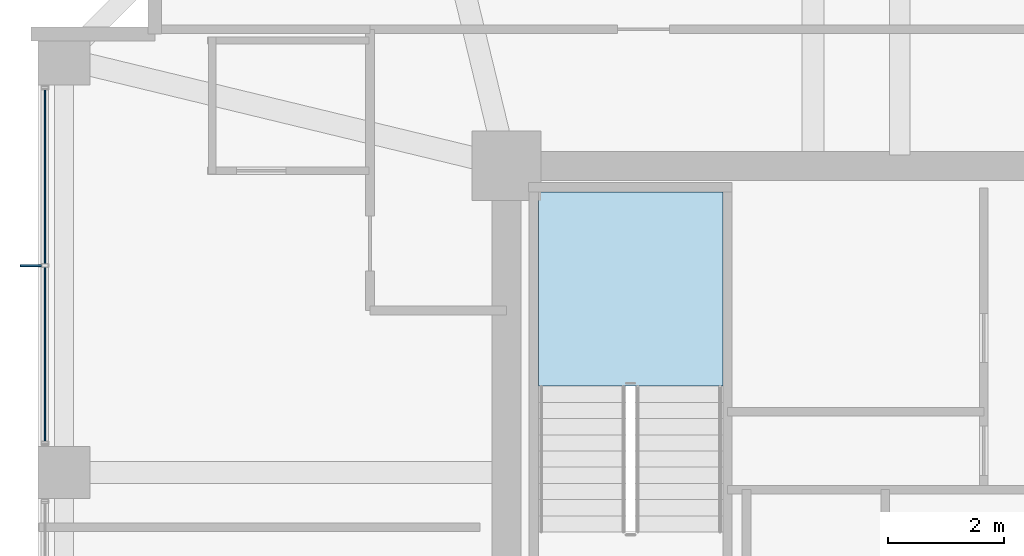
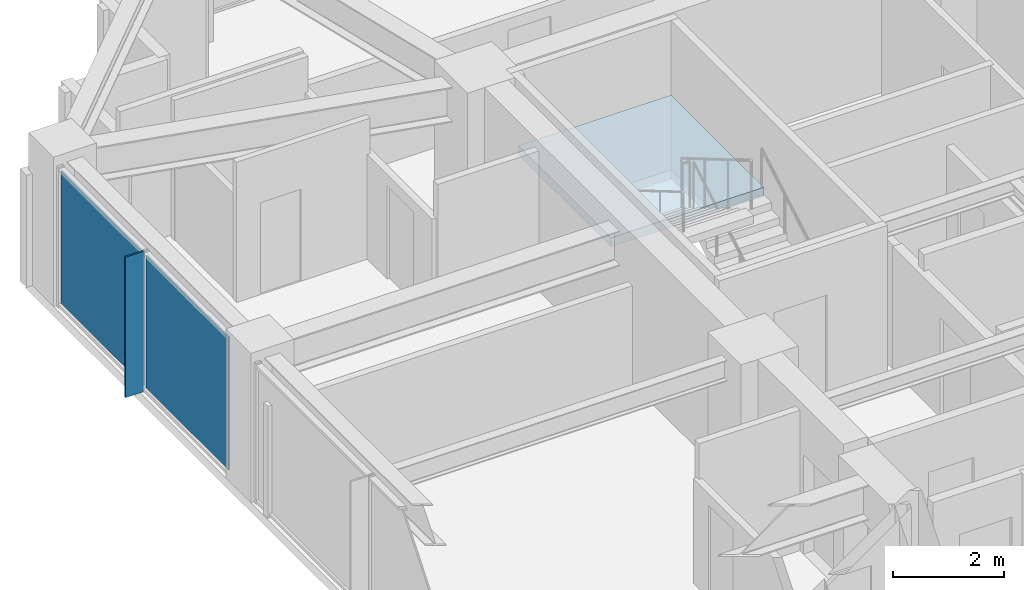
# One storey, part 23 of 31: 3 plates, 1 slab, 2 elements without a shape of their own.
"""IFC4 building model written with IfcOpenShell, lengths in metres."""

from ifc_helpers import new_model, si_unit, direction, frame, origin, origin_2d, place, context, subcontext, project, spatial, polyline, rectangle, outline, extrude, material, layer, layer_set, type_object, element, aggregate, save


model = new_model("IFC4")

# Units and contexts
model_context = context("Model", 3, precision=1e-05, world=origin(), true_north=direction((0.0, 1.0)))
body_context = subcontext(model_context, "Body", "Model", "MODEL_VIEW")
ifc_project = project(units=[si_unit("LENGTHUNIT", "METRE"), si_unit("AREAUNIT", "SQUARE_METRE"), si_unit("VOLUMEUNIT", "CUBIC_METRE"), si_unit("PLANEANGLEUNIT", "RADIAN"), si_unit("MASSUNIT", "GRAM", prefix="KILO")], contexts=[model_context])

# Site, building, storey
site_placement = place(None, origin())
site = spatial("IfcSite", under=ifc_project, at=site_placement, CompositionType="ELEMENT")
building_placement = place(site_placement, origin())
building = spatial("IfcBuilding", under=site, at=building_placement, Name="Kolvaren Belvedere", CompositionType="ELEMENT")
storey_placement = place(building_placement, frame((0.0, 0.0, 131.60009765625)))
storey = spatial("IfcBuildingStorey", under=building, at=storey_placement, Name="L38", CompositionType="ELEMENT", Elevation=131.60009765625)

# Curtain wall, plates
ifc_material_1 = material(Name="Anodised pale-metal aluminium AA 6063-T6", Category="aluminium")
curtain_wall_type = type_object("IfcCurtainWallType", Name="CW-Z3-WAIST", PredefinedType="NOTDEFINED", material=ifc_material_1)
curtain_wall_placement = place(storey_placement, origin())
curtain_wall = element("IfcCurtainWall", 1, at=curtain_wall_placement, inside=storey, type_object=curtain_wall_type, Name="L38 Unitised Curtain Wall FCW-L38-W-B3", PredefinedType="NOTDEFINED")
ifc_material_2 = material(Name="Low-iron triple insulated glass", Category="glass")
ifc_layer_1 = layer(ifc_material_2, 0.028076171875)
ifc_layer_set_1 = layer_set([ifc_layer_1], Name="Low-iron triple insulated glass")
plate_type_1 = type_object("IfcPlateType", Name="CW-PNL-VIS28", PredefinedType="CURTAIN_PANEL", material=ifc_layer_set_1)
plate_1_placement = place(storey_placement, frame((-17.8798828125, 6.638671875, 0.079833984375), z_axis=(0.0, 0.0, 1.0), x_axis=(0.0, 1.0, 0.0)))
plate_1 = element("IfcPlate", 2, at=plate_1_placement, type_object=plate_type_1, Name="FCW-L38-W-B3 Vision Glazing Panel 1", PredefinedType="CURTAIN_PANEL", context=body_context, shape_type="SweptSolid", body=[
    extrude(rectangle(XDim=2.992431640625, YDim=0.028076171875, at=origin_2d()), origin(), (0.0, 0.0, 1.0), 2.93994140625),
])
plate_2_placement = place(storey_placement, frame((-17.8798828125, 9.711181640625, 0.079833984375), z_axis=(0.0, 0.0, 1.0), x_axis=(0.0, 1.0, 0.0)))
plate_2 = element("IfcPlate", 3, at=plate_2_placement, type_object=plate_type_1, Name="FCW-L38-W-B3 Vision Glazing Panel 2", PredefinedType="CURTAIN_PANEL", context=body_context, shape_type="SweptSolid", body=[
    extrude(rectangle(XDim=2.992431640625, YDim=0.028076171875, at=origin_2d()), origin(), (0.0, 0.0, 1.0), 2.93994140625),
])
aggregate(curtain_wall, [plate_1, plate_2])

# Plate
ifc_material_3 = material(Name="Anodised pale-metal aluminium AA 6063-T6", Category="aluminium")
ifc_layer_2 = layer(ifc_material_3, 0.033935546875)
ifc_layer_set_2 = layer_set([ifc_layer_2], Name="Anodised pale-metal aluminium AA 6063-T6")
plate_type_2 = type_object("IfcPlateType", Name="FIN-VERT-380", PredefinedType="USERDEFINED", material=ifc_layer_set_2)
plate_3_placement = place(storey_placement, frame((-18.1201171875, 8.175048828125, -0.000244140625), z_axis=(0.0, 0.0, 1.0), x_axis=(1.0, 0.0, 0.0)))
element("IfcPlate", 4, at=plate_3_placement, inside=storey, type_object=plate_type_2, Name="L38 Pale-Metal Vertical Shading Fin FCW-L38-W-B3-1", ObjectType="VERTICAL FIN", PredefinedType="USERDEFINED", context=body_context, shape_type="SweptSolid", body=[
    extrude(rectangle(XDim=0.3798828125, YDim=0.033935546875, at=origin_2d()), origin(), (0.0, 0.0, 1.0), 3.10009765625),
])

# Stair, slab
ifc_material_4 = material(Name="Concrete C50/60", Category="concrete")
stair_type = type_object("IfcStairType", Name="ST-CORE-1520", PredefinedType="HALF_TURN_STAIR", material=ifc_material_4)
stair_placement = place(storey_placement, origin())
stair = element("IfcStair", 5, at=stair_placement, inside=storey, type_object=stair_type, Name="L38 Protected Exit Stair ST-1", PredefinedType="HALF_TURN_STAIR")
ifc_material_5 = material(Name="Concrete C50/60", Category="concrete")
ifc_layer_3 = layer(ifc_material_5, 0.260009765625)
ifc_layer_set_3 = layer_set([ifc_layer_3], Name="Concrete C50/60")
slab_type = type_object("IfcSlabType", Name="SL-LAND-260", PredefinedType="LANDING", material=ifc_layer_set_3)
slab_placement = place(storey_placement, frame((0.0, 0.0, 1.449951171875)))
slab = element("IfcSlab", 6, at=slab_placement, type_object=slab_type, Name="ST-1 landing 1", PredefinedType="LANDING", context=body_context, shape_type="SweptSolid", body=[
    extrude(outline(polyline([(-6.159912109375, 6.090087890625), (-6.159912109375, 9.449951171875), (-9.35009765625, 9.449951171875), (-9.35009765625, 6.090087890625), (-6.159912109375, 6.090087890625)])), origin(), (0.0, 0.0, 1.0), 0.199951171875),
])
aggregate(stair, [slab])

save(model, "model.ifc")
